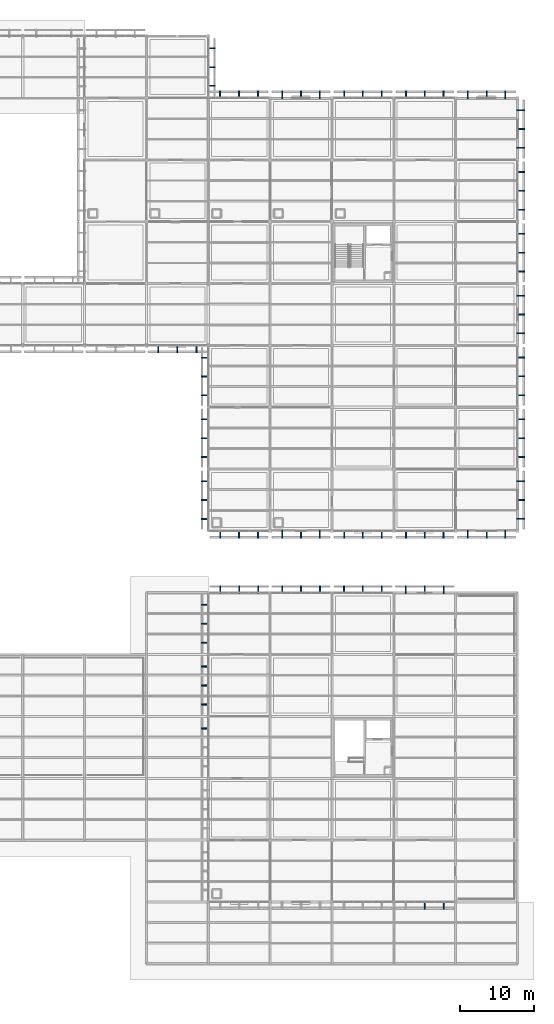
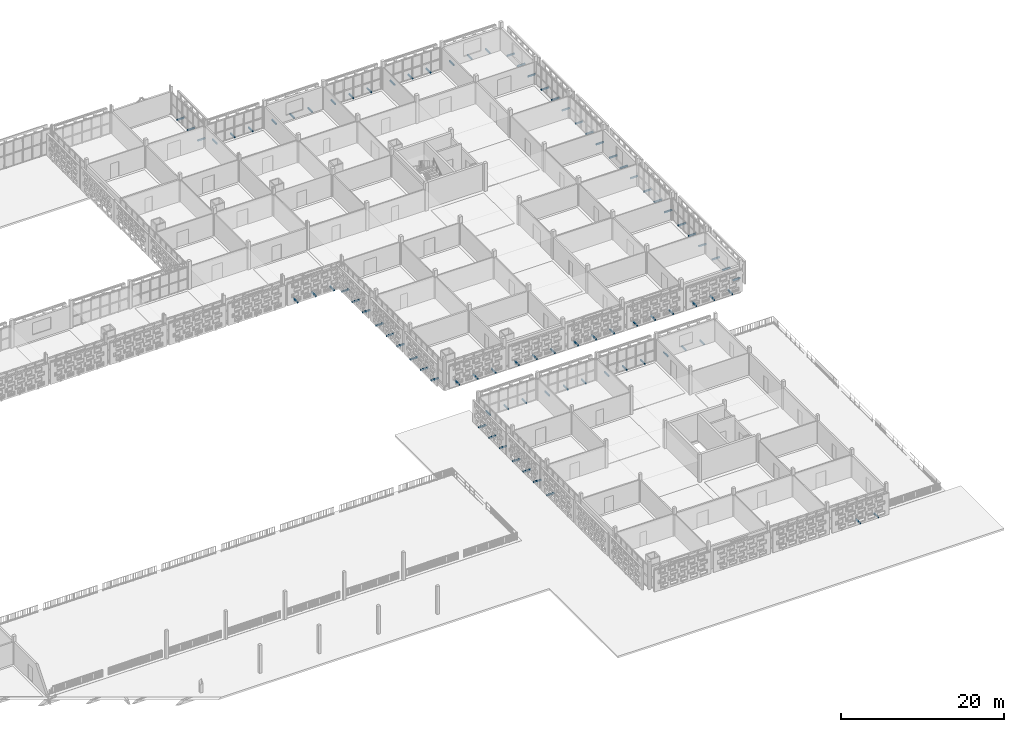
# One storey, part 111 of 166: 87 discrete accessories.
"""IFC4 building model written with IfcOpenShell, lengths in metres."""

from ifc_helpers import new_model, si_unit, direction, frame, origin, origin_2d, place, context, subcontext, project, spatial, rectangle, extrude, material, type_object, element, save


model = new_model("IFC4")

# Units and contexts
model_context = context("Model", 3, precision=1e-05, world=origin(), true_north=direction((0.0, 1.0)))
body_context = subcontext(model_context, "Body", "Model", "MODEL_VIEW")
ifc_project = project(units=[si_unit("LENGTHUNIT", "METRE"), si_unit("AREAUNIT", "SQUARE_METRE"), si_unit("VOLUMEUNIT", "CUBIC_METRE"), si_unit("PLANEANGLEUNIT", "RADIAN"), si_unit("MASSUNIT", "GRAM", prefix="KILO")], contexts=[model_context])

# Site, building, storey
site_placement = place(None, origin())
site = spatial("IfcSite", under=ifc_project, at=site_placement, CompositionType="ELEMENT")
building_placement = place(site_placement, origin())
building = spatial("IfcBuilding", under=site, at=building_placement, Name="Varnapada Polytechnic", CompositionType="ELEMENT")
storey_placement = place(building_placement, frame((0.0, 0.0, 9.60009765625)))
storey = spatial("IfcBuildingStorey", under=building, at=storey_placement, Name="L02", CompositionType="ELEMENT", Elevation=9.60009765625)

# Discrete accessories
ifc_material = material(Name="Steel S355", Category="steel")
discrete_accessory_type = type_object("IfcDiscreteAccessoryType", Name="Screen Outrigger Bracket BRK-01", PredefinedType="BRACKET", material=ifc_material)
for number, where, z_axis, x_axis, name in (
    (1, (132.7919921875, 83.574951171875, -0.05029296875), (0.0, 0.0, 1.0), (-1.0, 0.0, 0.0), "L02 terracotta screen outrigger bracket 76.1"),
    (2, (130.199951171875, 83.574951171875, -0.05029296875), (0.0, 0.0, 1.0), (-1.0, 0.0, 0.0), "L02 terracotta screen outrigger bracket 76.2"),
    (3, (127.60791015625, 83.574951171875, -0.05029296875), (0.0, 0.0, 1.0), (-1.0, 0.0, 0.0), "L02 terracotta screen outrigger bracket 76.3"),
    (4, (134.824951171875, 124.34814453125, -0.05029296875), (0.0, 0.0, 1.0), (0.0, -1.0, 0.0), "L02 terracotta screen outrigger bracket 78.1"),
    (5, (134.824951171875, 121.802490234375, -0.05029296875), (0.0, 0.0, 1.0), (0.0, -1.0, 0.0), "L02 terracotta screen outrigger bracket 78.2"),
    (6, (134.824951171875, 119.2568359375, -0.05029296875), (0.0, 0.0, 1.0), (0.0, -1.0, 0.0), "L02 terracotta screen outrigger bracket 78.3"),
    (7, (133.97509765625, 31.970947265625, -0.05029296875), (0.0, 0.0, 1.0), (0.0, 1.0, 0.0), "L02 terracotta screen outrigger bracket 82.3"),
    (8, (133.97509765625, 35.22900390625, -0.05029296875), (0.0, 0.0, 1.0), (0.0, 1.0, 0.0), "L02 terracotta screen outrigger bracket 83.1"),
    (9, (133.97509765625, 37.804931640625, -0.05029296875), (0.0, 0.0, 1.0), (0.0, 1.0, 0.0), "L02 terracotta screen outrigger bracket 83.2"),
    (10, (133.97509765625, 40.381103515625, -0.05029296875), (0.0, 0.0, 1.0), (0.0, 1.0, 0.0), "L02 terracotta screen outrigger bracket 83.3"),
    (11, (136.027099609375, 50.824951171875, -0.05029296875), (0.0, 0.0, 1.0), (1.0, 0.0, 0.0), "L02 terracotta screen outrigger bracket 84.1"),
    (12, (138.60009765625, 50.824951171875, -0.05029296875), (0.0, 0.0, 1.0), (1.0, 0.0, 0.0), "L02 terracotta screen outrigger bracket 84.2"),
    (13, (141.1728515625, 50.824951171875, -0.05029296875), (0.0, 0.0, 1.0), (1.0, 0.0, 0.0), "L02 terracotta screen outrigger bracket 84.3"),
    (14, (133.97509765625, 43.618896484375, -0.05029296875), (0.0, 0.0, 1.0), (0.0, 1.0, 0.0), "L02 terracotta screen outrigger bracket 85.1"),
    (15, (133.97509765625, 46.195068359375, -0.05029296875), (0.0, 0.0, 1.0), (0.0, 1.0, 0.0), "L02 terracotta screen outrigger bracket 85.2"),
    (16, (133.97509765625, 48.77099609375, -0.05029296875), (0.0, 0.0, 1.0), (0.0, 1.0, 0.0), "L02 terracotta screen outrigger bracket 85.3"),
    (17, (141.146484375, 58.375, -0.05029296875), (0.0, 0.0, 1.0), (-1.0, 0.0, 0.0), "L02 terracotta screen outrigger bracket 86.1"),
    (18, (138.580078125, 58.375, -0.05029296875), (0.0, 0.0, 1.0), (-1.0, 0.0, 0.0), "L02 terracotta screen outrigger bracket 86.2"),
    (19, (136.013671875, 58.375, -0.05029296875), (0.0, 0.0, 1.0), (-1.0, 0.0, 0.0), "L02 terracotta screen outrigger bracket 86.3"),
    (20, (133.97509765625, 60.417236328125, -0.05029296875), (0.0, 0.0, 1.0), (0.0, 1.0, 0.0), "L02 terracotta screen outrigger bracket 87.1"),
    (21, (133.97509765625, 62.989990234375, -0.05029296875), (0.0, 0.0, 1.0), (0.0, 1.0, 0.0), "L02 terracotta screen outrigger bracket 87.2"),
    (22, (133.97509765625, 65.562744140625, -0.05029296875), (0.0, 0.0, 1.0), (0.0, 1.0, 0.0), "L02 terracotta screen outrigger bracket 87.3"),
    (23, (133.97509765625, 68.83349609375, -0.05029296875), (0.0, 0.0, 1.0), (0.0, 1.0, 0.0), "L02 terracotta screen outrigger bracket 88.1"),
    (24, (133.97509765625, 71.39990234375, -0.05029296875), (0.0, 0.0, 1.0), (0.0, 1.0, 0.0), "L02 terracotta screen outrigger bracket 88.2"),
    (25, (133.97509765625, 73.96630859375, -0.05029296875), (0.0, 0.0, 1.0), (0.0, 1.0, 0.0), "L02 terracotta screen outrigger bracket 88.3"),
    (26, (133.97509765625, 77.228271484375, -0.05029296875), (0.0, 0.0, 1.0), (0.0, 1.0, 0.0), "L02 terracotta screen outrigger bracket 89.1"),
    (27, (133.97509765625, 79.784912109375, -0.05029296875), (0.0, 0.0, 1.0), (0.0, 1.0, 0.0), "L02 terracotta screen outrigger bracket 89.2"),
    (28, (133.97509765625, 82.341796875, -0.05029296875), (0.0, 0.0, 1.0), (0.0, 1.0, 0.0), "L02 terracotta screen outrigger bracket 89.3"),
    (29, (135.997314453125, 118.02490234375, -0.05029296875), (0.0, 0.0, 1.0), (1.0, 0.0, 0.0), "L02 terracotta screen outrigger bracket 90.1"),
    (30, (138.570068359375, 118.02490234375, -0.05029296875), (0.0, 0.0, 1.0), (1.0, 0.0, 0.0), "L02 terracotta screen outrigger bracket 90.2"),
    (31, (141.142822265625, 118.02490234375, -0.05029296875), (0.0, 0.0, 1.0), (1.0, 0.0, 0.0), "L02 terracotta screen outrigger bracket 90.3"),
    (32, (144.42724609375, 50.824951171875, -0.05029296875), (0.0, 0.0, 1.0), (1.0, 0.0, 0.0), "L02 terracotta screen outrigger bracket 92.1"),
    (33, (147.0, 50.824951171875, -0.05029296875), (0.0, 0.0, 1.0), (1.0, 0.0, 0.0), "L02 terracotta screen outrigger bracket 92.2"),
    (34, (149.57275390625, 50.824951171875, -0.05029296875), (0.0, 0.0, 1.0), (1.0, 0.0, 0.0), "L02 terracotta screen outrigger bracket 92.3"),
    (35, (149.5537109375, 58.375, -0.05029296875), (0.0, 0.0, 1.0), (-1.0, 0.0, 0.0), "L02 terracotta screen outrigger bracket 93.1"),
    (36, (147.0, 58.375, -0.05029296875), (0.0, 0.0, 1.0), (-1.0, 0.0, 0.0), "L02 terracotta screen outrigger bracket 93.2"),
    (37, (144.4462890625, 58.375, -0.05029296875), (0.0, 0.0, 1.0), (-1.0, 0.0, 0.0), "L02 terracotta screen outrigger bracket 93.3"),
    (38, (144.4462890625, 118.02490234375, -0.05029296875), (0.0, 0.0, 1.0), (1.0, 0.0, 0.0), "L02 terracotta screen outrigger bracket 94.1"),
    (39, (147.0, 118.02490234375, -0.05029296875), (0.0, 0.0, 1.0), (1.0, 0.0, 0.0), "L02 terracotta screen outrigger bracket 94.2"),
    (40, (149.5537109375, 118.02490234375, -0.05029296875), (0.0, 0.0, 1.0), (1.0, 0.0, 0.0), "L02 terracotta screen outrigger bracket 94.3"),
    (41, (152.8271484375, 50.824951171875, -0.05029296875), (0.0, 0.0, 1.0), (1.0, 0.0, 0.0), "L02 terracotta screen outrigger bracket 96.1"),
    (42, (155.39990234375, 50.824951171875, -0.05029296875), (0.0, 0.0, 1.0), (1.0, 0.0, 0.0), "L02 terracotta screen outrigger bracket 96.2"),
    (43, (157.972900390625, 50.824951171875, -0.05029296875), (0.0, 0.0, 1.0), (1.0, 0.0, 0.0), "L02 terracotta screen outrigger bracket 96.3"),
    (44, (157.95361328125, 58.375, -0.05029296875), (0.0, 0.0, 1.0), (-1.0, 0.0, 0.0), "L02 terracotta screen outrigger bracket 97.1"),
    (45, (155.39990234375, 58.375, -0.05029296875), (0.0, 0.0, 1.0), (-1.0, 0.0, 0.0), "L02 terracotta screen outrigger bracket 97.2"),
    (46, (152.846435546875, 58.375, -0.05029296875), (0.0, 0.0, 1.0), (-1.0, 0.0, 0.0), "L02 terracotta screen outrigger bracket 97.3"),
    (47, (152.846435546875, 118.02490234375, -0.05029296875), (0.0, 0.0, 1.0), (1.0, 0.0, 0.0), "L02 terracotta screen outrigger bracket 98.1"),
    (48, (155.39990234375, 118.02490234375, -0.05029296875), (0.0, 0.0, 1.0), (1.0, 0.0, 0.0), "L02 terracotta screen outrigger bracket 98.2"),
    (49, (157.95361328125, 118.02490234375, -0.05029296875), (0.0, 0.0, 1.0), (1.0, 0.0, 0.0), "L02 terracotta screen outrigger bracket 98.3"),
    (50, (166.379150390625, 7.97509765625, -0.05029296875), (0.0, 0.0, 1.0), (-1.0, 0.0, 0.0), "L02 terracotta screen outrigger bracket 99.1"),
    (51, (163.800048828125, 7.97509765625, -0.05029296875), (0.0, 0.0, 1.0), (-1.0, 0.0, 0.0), "L02 terracotta screen outrigger bracket 99.2"),
    (52, (161.227294921875, 50.824951171875, -0.05029296875), (0.0, 0.0, 1.0), (1.0, 0.0, 0.0), "L02 terracotta screen outrigger bracket 104.1"),
    (53, (163.800048828125, 50.824951171875, -0.05029296875), (0.0, 0.0, 1.0), (1.0, 0.0, 0.0), "L02 terracotta screen outrigger bracket 104.2"),
    (54, (166.372802734375, 50.824951171875, -0.05029296875), (0.0, 0.0, 1.0), (1.0, 0.0, 0.0), "L02 terracotta screen outrigger bracket 104.3"),
    (55, (166.353515625, 58.375, -0.05029296875), (0.0, 0.0, 1.0), (-1.0, 0.0, 0.0), "L02 terracotta screen outrigger bracket 106.1"),
    (56, (163.800048828125, 58.375, -0.05029296875), (0.0, 0.0, 1.0), (-1.0, 0.0, 0.0), "L02 terracotta screen outrigger bracket 106.2"),
    (57, (161.246337890625, 58.375, -0.05029296875), (0.0, 0.0, 1.0), (-1.0, 0.0, 0.0), "L02 terracotta screen outrigger bracket 106.3"),
    (58, (161.246337890625, 118.02490234375, -0.05029296875), (0.0, 0.0, 1.0), (1.0, 0.0, 0.0), "L02 terracotta screen outrigger bracket 107.1"),
    (59, (163.800048828125, 118.02490234375, -0.05029296875), (0.0, 0.0, 1.0), (1.0, 0.0, 0.0), "L02 terracotta screen outrigger bracket 107.2"),
    (60, (166.353515625, 118.02490234375, -0.05029296875), (0.0, 0.0, 1.0), (1.0, 0.0, 0.0), "L02 terracotta screen outrigger bracket 107.3"),
    (61, (174.753662109375, 58.375, -0.05029296875), (0.0, 0.0, 1.0), (-1.0, 0.0, 0.0), "L02 terracotta screen outrigger bracket 108.1"),
    (62, (172.199951171875, 58.375, -0.05029296875), (0.0, 0.0, 1.0), (-1.0, 0.0, 0.0), "L02 terracotta screen outrigger bracket 108.2"),
    (63, (169.646484375, 58.375, -0.05029296875), (0.0, 0.0, 1.0), (-1.0, 0.0, 0.0), "L02 terracotta screen outrigger bracket 108.3"),
    (64, (176.824951171875, 65.5537109375, -0.05029296875), (0.0, 0.0, 1.0), (0.0, -1.0, 0.0), "L02 terracotta screen outrigger bracket 109.1"),
    (65, (176.824951171875, 63.0, -0.05029296875), (0.0, 0.0, 1.0), (0.0, -1.0, 0.0), "L02 terracotta screen outrigger bracket 109.2"),
    (66, (176.824951171875, 60.4462890625, -0.05029296875), (0.0, 0.0, 1.0), (0.0, -1.0, 0.0), "L02 terracotta screen outrigger bracket 109.3"),
    (67, (176.824951171875, 73.95361328125, -0.05029296875), (0.0, 0.0, 1.0), (0.0, -1.0, 0.0), "L02 terracotta screen outrigger bracket 110.1"),
    (68, (176.824951171875, 71.39990234375, -0.05029296875), (0.0, 0.0, 1.0), (0.0, -1.0, 0.0), "L02 terracotta screen outrigger bracket 110.2"),
    (69, (176.824951171875, 68.846435546875, -0.05029296875), (0.0, 0.0, 1.0), (0.0, -1.0, 0.0), "L02 terracotta screen outrigger bracket 110.3"),
    (70, (176.824951171875, 82.353515625, -0.05029296875), (0.0, 0.0, 1.0), (0.0, -1.0, 0.0), "L02 terracotta screen outrigger bracket 111.1"),
    (71, (176.824951171875, 79.800048828125, -0.05029296875), (0.0, 0.0, 1.0), (0.0, -1.0, 0.0), "L02 terracotta screen outrigger bracket 111.2"),
    (72, (176.824951171875, 77.246337890625, -0.05029296875), (0.0, 0.0, 1.0), (0.0, -1.0, 0.0), "L02 terracotta screen outrigger bracket 111.3"),
    (73, (176.824951171875, 90.753662109375, -0.05029296875), (0.0, 0.0, 1.0), (0.0, -1.0, 0.0), "L02 terracotta screen outrigger bracket 112.1"),
    (74, (176.824951171875, 88.199951171875, -0.05029296875), (0.0, 0.0, 1.0), (0.0, -1.0, 0.0), "L02 terracotta screen outrigger bracket 112.2"),
    (75, (176.824951171875, 85.646484375, -0.05029296875), (0.0, 0.0, 1.0), (0.0, -1.0, 0.0), "L02 terracotta screen outrigger bracket 112.3"),
    (76, (176.824951171875, 99.153564453125, -0.05029296875), (0.0, 0.0, 1.0), (0.0, -1.0, 0.0), "L02 terracotta screen outrigger bracket 113.1"),
    (77, (176.824951171875, 96.60009765625, -0.05029296875), (0.0, 0.0, 1.0), (0.0, -1.0, 0.0), "L02 terracotta screen outrigger bracket 113.2"),
    (78, (176.824951171875, 94.04638671875, -0.05029296875), (0.0, 0.0, 1.0), (0.0, -1.0, 0.0), "L02 terracotta screen outrigger bracket 113.3"),
    (79, (176.824951171875, 107.5537109375, -0.05029296875), (0.0, 0.0, 1.0), (0.0, -1.0, 0.0), "L02 terracotta screen outrigger bracket 114.1"),
    (80, (176.824951171875, 105.0, -0.05029296875), (0.0, 0.0, 1.0), (0.0, -1.0, 0.0), "L02 terracotta screen outrigger bracket 114.2"),
    (81, (176.824951171875, 102.4462890625, -0.05029296875), (0.0, 0.0, 1.0), (0.0, -1.0, 0.0), "L02 terracotta screen outrigger bracket 114.3"),
    (82, (169.646484375, 118.02490234375, -0.05029296875), (0.0, 0.0, 1.0), (1.0, 0.0, 0.0), "L02 terracotta screen outrigger bracket 115.1"),
    (83, (172.199951171875, 118.02490234375, -0.05029296875), (0.0, 0.0, 1.0), (1.0, 0.0, 0.0), "L02 terracotta screen outrigger bracket 115.2"),
    (84, (174.753662109375, 118.02490234375, -0.05029296875), (0.0, 0.0, 1.0), (1.0, 0.0, 0.0), "L02 terracotta screen outrigger bracket 115.3"),
    (85, (176.824951171875, 115.95361328125, -0.05029296875), (0.0, 0.0, 1.0), (0.0, -1.0, 0.0), "L02 terracotta screen outrigger bracket 116.1"),
    (86, (176.824951171875, 113.39990234375, -0.05029296875), (0.0, 0.0, 1.0), (0.0, -1.0, 0.0), "L02 terracotta screen outrigger bracket 116.2"),
    (87, (176.824951171875, 110.846435546875, -0.05029296875), (0.0, 0.0, 1.0), (0.0, -1.0, 0.0), "L02 terracotta screen outrigger bracket 116.3"),
):
    element("IfcDiscreteAccessory", number, at=place(storey_placement, frame(where, z_axis=z_axis, x_axis=x_axis)), inside=storey, type_object=discrete_accessory_type, Name=name, PredefinedType="BRACKET", context=body_context, shape_type="SweptSolid", body=[
        extrude(rectangle(XDim=0.159912109375, YDim=1.090087890625, at=origin_2d()), origin(), (0.0, 0.0, 1.0), 0.219970703125),
    ])

save(model, "model.ifc")
